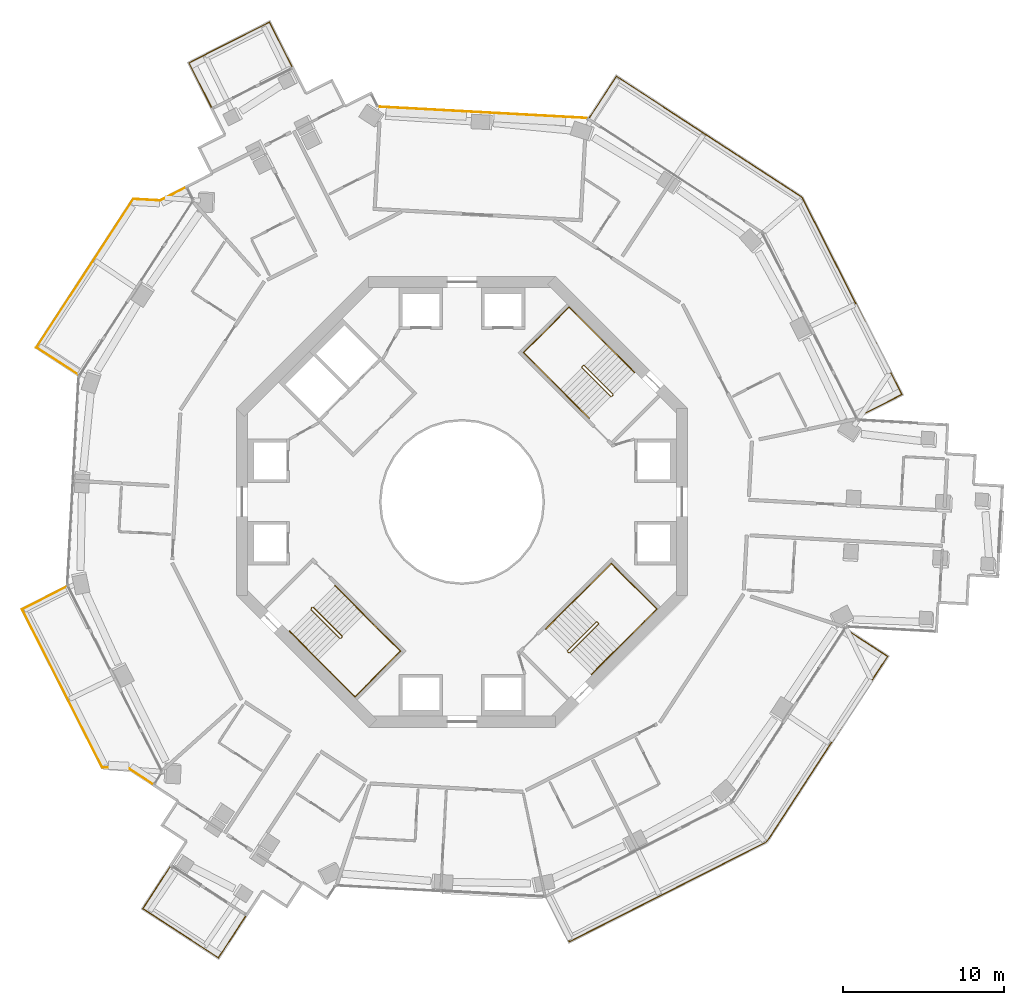
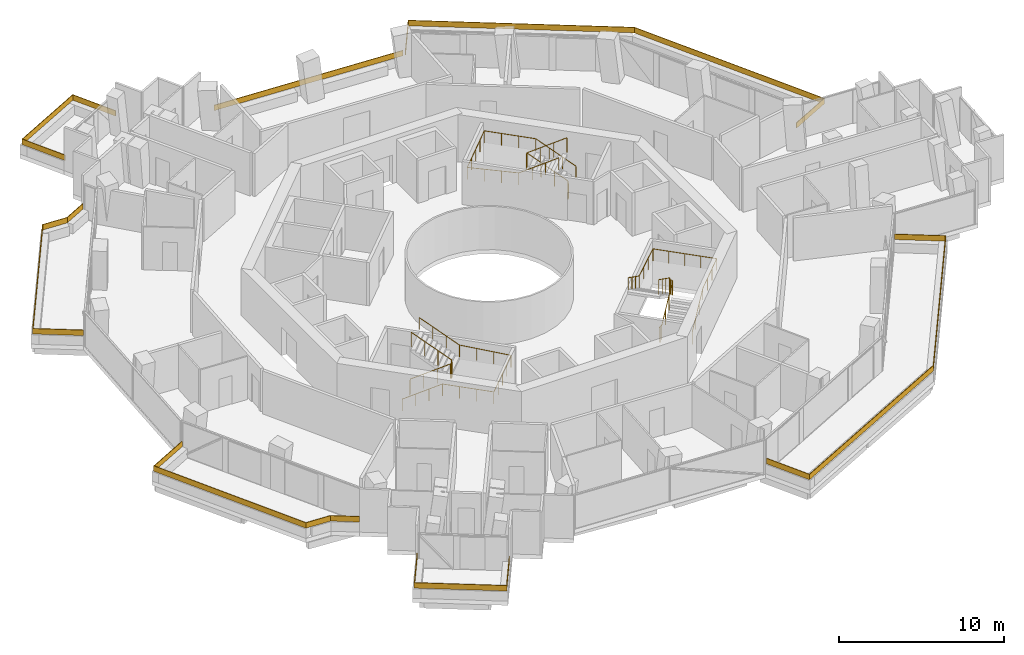
# One storey, part 23 of 23: 13 railings.
"""IFC4 building model written with IfcOpenShell, lengths in metres."""

from ifc_helpers import new_model, si_unit, direction, frame, origin, origin_2d, place, context, subcontext, project, spatial, polyline, rectangle, circle, outline, extrude, material, layer, layer_set, type_object, element, save


model = new_model("IFC4")

# Units and contexts
model_context = context("Model", 3, precision=1e-05, world=origin(), true_north=direction((0.0, 1.0)))
body_context = subcontext(model_context, "Body", "Model", "MODEL_VIEW")
ifc_project = project(units=[si_unit("LENGTHUNIT", "METRE"), si_unit("AREAUNIT", "SQUARE_METRE"), si_unit("VOLUMEUNIT", "CUBIC_METRE"), si_unit("PLANEANGLEUNIT", "RADIAN"), si_unit("MASSUNIT", "GRAM", prefix="KILO")], contexts=[model_context])

# Site, building, storey
site_placement = place(None, origin())
site = spatial("IfcSite", under=ifc_project, at=site_placement, CompositionType="ELEMENT")
building_placement = place(site_placement, origin())
building = spatial("IfcBuilding", under=site, at=building_placement, Name="Verdalira Terraces Hotel", CompositionType="ELEMENT")
storey_placement = place(building_placement, frame((0.0, 0.0, 143.5)))
storey = spatial("IfcBuildingStorey", under=building, at=storey_placement, Name="L34", CompositionType="ELEMENT", Elevation=143.5)

# Railings
ifc_material_1 = material(Name="Laminated glass", Category="glass")
ifc_layer = layer(ifc_material_1, 0.0400390625)
ifc_layer_set = layer_set([ifc_layer], Name="Balcony glass guard 400")
railing_type_1 = type_object("IfcRailingType", Name="Balcony glass guard 400", PredefinedType="GUARDRAIL", material=ifc_layer_set)
railing_1_placement = place(storey_placement, frame((0.0, 0.0, 0.699951)))
element("IfcRailing", 1, at=railing_1_placement, inside=storey, type_object=railing_type_1, Name="Balcony glass guard", PredefinedType="GUARDRAIL", context=body_context, shape_type="SweptSolid", body=[
    extrude(outline(polyline([(-11.960449, 29.744385), (-16.919678, 27.230713), (-15.527588, 24.484375), (-15.563232, 24.466309), (-16.973389, 27.248291), (-11.942871, 29.79834), (-10.532715, 27.016113), (-10.568359, 26.998047), (-11.960449, 29.744385)])), origin(), (0.0, 0.0, 1.0), 0.400146),
])
railing_2_placement = place(storey_placement, frame((0.0, 0.0, 0.699951)))
element("IfcRailing", 2, at=railing_2_placement, inside=storey, type_object=railing_type_1, Name="Balcony glass guard", PredefinedType="GUARDRAIL", context=body_context, shape_type="SweptSolid", body=[
    extrude(outline(polyline([(-18.736816, 18.685791), (-20.392334, 18.776123), (-26.382568, 9.593994), (-23.803955, 7.911621), (-23.825684, 7.878174), (-26.437988, 9.58252), (-20.41333, 18.817383), (-18.745361, 18.726318), (-17.182373, 19.518799), (-17.164307, 19.48291), (-18.736816, 18.685791)])), origin(), (0.0, 0.0, 1.0), 0.400146),
])
railing_3_placement = place(storey_placement, frame((0.0, 0.0, 0.699951)))
element("IfcRailing", 3, at=railing_3_placement, inside=storey, type_object=railing_type_1, Name="Balcony glass guard", PredefinedType="GUARDRAIL", context=body_context, shape_type="SweptSolid", body=[
    extrude(outline(polyline([(-27.269043, -6.669678), (-22.3125, -16.448242), (-20.656982, -16.538574), (-19.180176, -17.501953), (-19.202148, -17.5354), (-20.669922, -16.577881), (-22.337646, -16.487061), (-27.322998, -6.6521), (-24.540771, -5.241943), (-24.522705, -5.277588), (-27.269043, -6.669678)])), origin(), (0.0, 0.0, 1.0), 0.400146),
])
railing_4_placement = place(storey_placement, frame((0.0, 0.0, 0.699951)))
element("IfcRailing", 4, at=railing_4_placement, inside=storey, type_object=railing_type_1, Name="Balcony glass guard", PredefinedType="GUARDRAIL", context=body_context, shape_type="SweptSolid", body=[
    extrude(outline(polyline([(-19.779297, -25.230225), (-15.122559, -28.268311), (-13.440186, -25.689453), (-13.406738, -25.711426), (-15.11084, -28.323486), (-19.834717, -25.241943), (-18.130371, -22.629639), (-18.096924, -22.651611), (-19.779297, -25.230225)])), origin(), (0.0, 0.0, 1.0), 0.400146),
])
railing_5_placement = place(storey_placement, frame((0.0, 0.0, 0.699951)))
element("IfcRailing", 5, at=railing_5_placement, inside=storey, type_object=railing_type_1, Name="Balcony glass guard", PredefinedType="GUARDRAIL", context=body_context, shape_type="SweptSolid", body=[
    extrude(outline(polyline([(6.669678, -27.269043), (18.894043, -21.072754), (26.382568, -9.593994), (23.803955, -7.911621), (23.825684, -7.878174), (26.437988, -9.58252), (18.921875, -21.103516), (6.6521, -27.322998), (5.241943, -24.540771), (5.277588, -24.522705), (6.669678, -27.269043)])), origin(), (0.0, 0.0, 1.0), 0.400146),
])
railing_6_placement = place(storey_placement, frame((0.0, 0.0, 0.699951)))
element("IfcRailing", 6, at=railing_6_placement, inside=storey, type_object=railing_type_1, Name="Balcony glass guard", PredefinedType="GUARDRAIL", context=body_context, shape_type="SweptSolid", body=[
    extrude(outline(polyline([(27.269043, 6.669678), (21.072754, 18.894043), (9.593994, 26.382568), (7.911621, 23.803955), (7.878174, 23.825684), (9.58252, 26.437988), (21.103516, 18.921875), (27.322998, 6.6521), (24.540771, 5.241943), (24.522705, 5.277588), (27.269043, 6.669678)])), origin(), (0.0, 0.0, 1.0), 0.400146),
])
railing_7_placement = place(storey_placement, frame((1.317627, 24.172363, 0.699951), z_axis=(0.0, 0.0, 1.0), x_axis=(-0.998517732, 0.054427365, 0.0)))
element("IfcRailing", 7, at=railing_7_placement, inside=storey, type_object=railing_type_1, Name="Loggia glass guard", PredefinedType="GUARDRAIL", context=body_context, shape_type="SweptSolid", body=[
    extrude(rectangle(XDim=12.840088, YDim=0.040039, at=origin_2d()), origin(), (0.0, 0.0, 1.0), 0.399902),
])
ifc_material_2 = material(Name="Stainless steel", Category="steel")
railing_type_2 = type_object("IfcRailingType", Name="Stair guard 1100", PredefinedType="GUARDRAIL", material=ifc_material_2)
railing_8_placement = place(storey_placement, frame((9.369141, 6.611328, 0.0)))
element("IfcRailing", 8, at=railing_8_placement, inside=storey, type_object=railing_type_2, Name="L34 ST1 stair guard 1", PredefinedType="GUARDRAIL", context=body_context, shape_type="SweptSolid", body=[
    extrude(circle(Radius=0.023926, at=origin_2d()), frame((0.0, 0.0, 1.076172), z_axis=(-0.70832698, -0.705884473, 0.0), x_axis=(0.705884473, -0.70832698, 0.0)), (0.0, 0.0, 1.0), 0.099854),
    extrude(circle(Radius=0.023926, at=origin_2d()), frame((-0.070801, -0.070557, 1.076172), z_axis=(0.300162975, 0.599290904, 0.742127078), x_axis=(-0.894118129, 0.447831187, 0.0)), (0.0, 0.0, 1.0), 0.23584),
    extrude(circle(Radius=0.023926, at=origin_2d()), frame((0.0, 0.070801, 1.250977), z_axis=(-0.599637504, 0.599637504, 0.52997144), x_axis=(-0.707106781, -0.707106781, 0.0)), (0.0, 0.0, 1.0), 2.97168),
    extrude(circle(Radius=0.023926, at=origin_2d()), frame((-1.781982, 1.852783, 2.826172), z_axis=(-1.0, 0.0, 0.0), x_axis=(0.0, -1.0, 0.0)), (0.0, 0.0, 1.0), 0.070557),
    extrude(circle(Radius=0.023926, at=origin_2d()), frame((-1.852539, 1.852783, 2.826172), z_axis=(-0.707106781, -0.707106781, 0.0), x_axis=(0.707106781, -0.707106781, 0.0)), (0.0, 0.0, 1.0), 0.100098),
    extrude(circle(Radius=0.023926, at=origin_2d()), frame((-1.92334, 1.781982, 2.826172), z_axis=(0.0, -0.373842709, 0.927492118), x_axis=(1.0, 0.0, 0.0)), (0.0, 0.0, 1.0), 0.188721),
    extrude(circle(Radius=0.023926, at=origin_2d()), frame((-1.92334, 1.711426, 3.000977), z_axis=(0.599637504, -0.599637504, 0.52997144), x_axis=(0.707106781, 0.707106781, 0.0)), (0.0, 0.0, 1.0), 2.97168),
    extrude(circle(Radius=0.020996, at=origin_2d()), origin(), (0.0, 0.0, 1.0), 1.052002),
    extrude(circle(Radius=0.020996, at=origin_2d()), frame((-0.070801, -0.070557, 0.0)), (0.0, 0.0, 1.0), 1.052002),
    extrude(circle(Radius=0.020996, at=origin_2d()), frame((0.0, 0.070801, 0.175049)), (0.0, 0.0, 1.0), 1.052002),
    extrude(circle(Radius=0.020996, at=origin_2d()), frame((-0.593994, 0.664795, 0.699951)), (0.0, 0.0, 1.0), 1.052002),
    extrude(circle(Radius=0.020996, at=origin_2d()), frame((-1.187988, 1.258789, 1.225098)), (0.0, 0.0, 1.0), 1.052002),
    extrude(circle(Radius=0.020996, at=origin_2d()), frame((-1.781982, 1.852783, 1.75)), (0.0, 0.0, 1.0), 1.052002),
    extrude(circle(Radius=0.020996, at=origin_2d()), frame((-1.852539, 1.852783, 1.75)), (0.0, 0.0, 1.0), 1.052002),
    extrude(circle(Radius=0.020996, at=origin_2d()), frame((-1.92334, 1.781982, 1.75)), (0.0, 0.0, 1.0), 1.052002),
    extrude(circle(Radius=0.020996, at=origin_2d()), frame((-1.92334, 1.711426, 1.925049)), (0.0, 0.0, 1.0), 1.052002),
    extrude(circle(Radius=0.020996, at=origin_2d()), frame((-1.329346, 1.117432, 2.449951)), (0.0, 0.0, 1.0), 1.052002),
    extrude(circle(Radius=0.020996, at=origin_2d()), frame((-0.735352, 0.523438, 2.975098)), (0.0, 0.0, 1.0), 1.052002),
    extrude(circle(Radius=0.020996, at=origin_2d()), frame((-0.141357, -0.070557, 3.5)), (0.0, 0.0, 1.0), 1.052002),
])
railing_9_placement = place(storey_placement, frame((-9.369141, -6.611328, 0.0)))
element("IfcRailing", 9, at=railing_9_placement, inside=storey, type_object=railing_type_2, Name="L34 ST2 stair guard 1", PredefinedType="GUARDRAIL", context=body_context, shape_type="SweptSolid", body=[
    extrude(circle(Radius=0.023926, at=origin_2d()), frame((0.0, 0.0, 1.076172), z_axis=(0.70832698, 0.705884473, 0.0), x_axis=(-0.705884473, 0.70832698, 0.0)), (0.0, 0.0, 1.0), 0.099854),
    extrude(circle(Radius=0.023926, at=origin_2d()), frame((0.070801, 0.070557, 1.076172), z_axis=(-0.300162975, -0.599290904, 0.742127078), x_axis=(0.894118129, -0.447831187, 0.0)), (0.0, 0.0, 1.0), 0.23584),
    extrude(circle(Radius=0.023926, at=origin_2d()), frame((0.0, -0.070801, 1.250977), z_axis=(0.599637504, -0.599637504, 0.52997144), x_axis=(0.707106781, 0.707106781, 0.0)), (0.0, 0.0, 1.0), 2.97168),
    extrude(circle(Radius=0.023926, at=origin_2d()), frame((1.781982, -1.852783, 2.826172), z_axis=(1.0, 0.0, 0.0), x_axis=(0.0, 1.0, 0.0)), (0.0, 0.0, 1.0), 0.070557),
    extrude(circle(Radius=0.023926, at=origin_2d()), frame((1.852539, -1.852783, 2.826172), z_axis=(0.707106781, 0.707106781, 0.0), x_axis=(-0.707106781, 0.707106781, 0.0)), (0.0, 0.0, 1.0), 0.100098),
    extrude(circle(Radius=0.023926, at=origin_2d()), frame((1.92334, -1.781982, 2.826172), z_axis=(0.0, 0.373842709, 0.927492118), x_axis=(-1.0, 0.0, 0.0)), (0.0, 0.0, 1.0), 0.188721),
    extrude(circle(Radius=0.023926, at=origin_2d()), frame((1.92334, -1.711426, 3.000977), z_axis=(-0.599637504, 0.599637504, 0.52997144), x_axis=(-0.707106781, -0.707106781, 0.0)), (0.0, 0.0, 1.0), 2.97168),
    extrude(circle(Radius=0.020996, at=origin_2d()), origin(), (0.0, 0.0, 1.0), 1.052002),
    extrude(circle(Radius=0.020996, at=origin_2d()), frame((0.070801, 0.070557, 0.0)), (0.0, 0.0, 1.0), 1.052002),
    extrude(circle(Radius=0.020996, at=origin_2d()), frame((0.0, -0.070801, 0.175049)), (0.0, 0.0, 1.0), 1.052002),
    extrude(circle(Radius=0.020996, at=origin_2d()), frame((0.593994, -0.664795, 0.699951)), (0.0, 0.0, 1.0), 1.052002),
    extrude(circle(Radius=0.020996, at=origin_2d()), frame((1.187988, -1.258789, 1.225098)), (0.0, 0.0, 1.0), 1.052002),
    extrude(circle(Radius=0.020996, at=origin_2d()), frame((1.781982, -1.852783, 1.75)), (0.0, 0.0, 1.0), 1.052002),
    extrude(circle(Radius=0.020996, at=origin_2d()), frame((1.852539, -1.852783, 1.75)), (0.0, 0.0, 1.0), 1.052002),
    extrude(circle(Radius=0.020996, at=origin_2d()), frame((1.92334, -1.781982, 1.75)), (0.0, 0.0, 1.0), 1.052002),
    extrude(circle(Radius=0.020996, at=origin_2d()), frame((1.92334, -1.711426, 1.925049)), (0.0, 0.0, 1.0), 1.052002),
    extrude(circle(Radius=0.020996, at=origin_2d()), frame((1.329346, -1.117432, 2.449951)), (0.0, 0.0, 1.0), 1.052002),
    extrude(circle(Radius=0.020996, at=origin_2d()), frame((0.735352, -0.523438, 2.975098)), (0.0, 0.0, 1.0), 1.052002),
    extrude(circle(Radius=0.020996, at=origin_2d()), frame((0.141357, 0.070557, 3.5)), (0.0, 0.0, 1.0), 1.052002),
])
railing_10_placement = place(storey_placement, frame((6.611328, -9.369141, 0.0)))
element("IfcRailing", 10, at=railing_10_placement, inside=storey, type_object=railing_type_2, Name="L34 ST3 stair guard 1", PredefinedType="GUARDRAIL", context=body_context, shape_type="SweptSolid", body=[
    extrude(circle(Radius=0.023926, at=origin_2d()), frame((0.0, 0.0, 1.076172), z_axis=(-0.705884473, 0.70832698, 0.0), x_axis=(-0.70832698, -0.705884473, 0.0)), (0.0, 0.0, 1.0), 0.099854),
    extrude(circle(Radius=0.023926, at=origin_2d()), frame((-0.070557, 0.070801, 1.076172), z_axis=(0.599290904, -0.300162975, 0.742127078), x_axis=(0.447831187, 0.894118129, 0.0)), (0.0, 0.0, 1.0), 0.23584),
    extrude(circle(Radius=0.023926, at=origin_2d()), frame((0.070801, 0.0, 1.250977), z_axis=(0.599637504, 0.599637504, 0.52997144), x_axis=(-0.707106781, 0.707106781, 0.0)), (0.0, 0.0, 1.0), 2.97168),
    extrude(circle(Radius=0.023926, at=origin_2d()), frame((1.852783, 1.781982, 2.826172), z_axis=(0.0, 1.0, 0.0), x_axis=(-1.0, 0.0, 0.0)), (0.0, 0.0, 1.0), 0.070557),
    extrude(circle(Radius=0.023926, at=origin_2d()), frame((1.852783, 1.852539, 2.826172), z_axis=(-0.707106781, 0.707106781, 0.0), x_axis=(-0.707106781, -0.707106781, 0.0)), (0.0, 0.0, 1.0), 0.100098),
    extrude(circle(Radius=0.023926, at=origin_2d()), frame((1.781982, 1.92334, 2.826172), z_axis=(-0.373842709, 0.0, 0.927492118), x_axis=(0.0, -1.0, 0.0)), (0.0, 0.0, 1.0), 0.188721),
    extrude(circle(Radius=0.023926, at=origin_2d()), frame((1.711426, 1.92334, 3.000977), z_axis=(-0.599637504, -0.599637504, 0.52997144), x_axis=(0.707106781, -0.707106781, 0.0)), (0.0, 0.0, 1.0), 2.97168),
    extrude(circle(Radius=0.020996, at=origin_2d()), origin(), (0.0, 0.0, 1.0), 1.052002),
    extrude(circle(Radius=0.020996, at=origin_2d()), frame((-0.070557, 0.070801, 0.0)), (0.0, 0.0, 1.0), 1.052002),
    extrude(circle(Radius=0.020996, at=origin_2d()), frame((0.070801, 0.0, 0.175049)), (0.0, 0.0, 1.0), 1.052002),
    extrude(circle(Radius=0.020996, at=origin_2d()), frame((0.664795, 0.593994, 0.699951)), (0.0, 0.0, 1.0), 1.052002),
    extrude(circle(Radius=0.020996, at=origin_2d()), frame((1.258789, 1.187988, 1.225098)), (0.0, 0.0, 1.0), 1.052002),
    extrude(circle(Radius=0.020996, at=origin_2d()), frame((1.852783, 1.781982, 1.75)), (0.0, 0.0, 1.0), 1.052002),
    extrude(circle(Radius=0.020996, at=origin_2d()), frame((1.852783, 1.852539, 1.75)), (0.0, 0.0, 1.0), 1.052002),
    extrude(circle(Radius=0.020996, at=origin_2d()), frame((1.781982, 1.92334, 1.75)), (0.0, 0.0, 1.0), 1.052002),
    extrude(circle(Radius=0.020996, at=origin_2d()), frame((1.711426, 1.92334, 1.925049)), (0.0, 0.0, 1.0), 1.052002),
    extrude(circle(Radius=0.020996, at=origin_2d()), frame((1.117432, 1.329346, 2.449951)), (0.0, 0.0, 1.0), 1.052002),
    extrude(circle(Radius=0.020996, at=origin_2d()), frame((0.523438, 0.735352, 2.975098)), (0.0, 0.0, 1.0), 1.052002),
    extrude(circle(Radius=0.020996, at=origin_2d()), frame((-0.070557, 0.141357, 3.5)), (0.0, 0.0, 1.0), 1.052002),
])
ifc_material_3 = material(Name="Stainless steel", Category="steel")
railing_type_3 = type_object("IfcRailingType", Name="Stair handrail 900", PredefinedType="HANDRAIL", material=ifc_material_3)
railing_11_placement = place(storey_placement, frame((10.712646, 8.025635, 0.175049)))
element("IfcRailing", 11, at=railing_11_placement, inside=storey, type_object=railing_type_3, Name="L34 ST1 stair handrail 1", PredefinedType="HANDRAIL", context=body_context, shape_type="SweptSolid", body=[
    extrude(circle(Radius=0.023926, at=origin_2d()), frame((0.0, 0.0, 0.875977), z_axis=(-0.599637504, 0.599637504, 0.52997144), x_axis=(-0.707106781, -0.707106781, 0.0)), (0.0, 0.0, 1.0), 2.97168),
    extrude(circle(Radius=0.023926, at=origin_2d()), frame((-1.781982, 1.781982, 2.450684), z_axis=(-0.707106781, 0.707106781, 0.0), x_axis=(-0.707106781, -0.707106781, 0.0)), (0.0, 0.0, 1.0), 3.22998),
    extrude(circle(Radius=0.023926, at=origin_2d()), frame((-4.065918, 4.065918, 2.450684), z_axis=(-0.707106781, -0.707106781, 0.0), x_axis=(0.707106781, -0.707106781, 0.0)), (0.0, 0.0, 1.0), 4.0),
    extrude(circle(Radius=0.023926, at=origin_2d()), frame((-6.894287, 1.237549, 2.450684), z_axis=(0.706070637, -0.706070637, 0.054115729), x_axis=(0.707106781, 0.707106781, 0.0)), (0.0, 0.0, 1.0), 3.234619),
    extrude(circle(Radius=0.023926, at=origin_2d()), frame((-4.610352, -1.046387, 2.625977), z_axis=(0.599637504, -0.599637504, 0.52997144), x_axis=(0.707106781, 0.707106781, 0.0)), (0.0, 0.0, 1.0), 2.97168),
    extrude(circle(Radius=0.020996, at=origin_2d()), origin(), (0.0, 0.0, 1.0), 0.851807),
    extrude(circle(Radius=0.020996, at=origin_2d()), frame((-0.593994, 0.593994, 0.524902)), (0.0, 0.0, 1.0), 0.851807),
    extrude(circle(Radius=0.020996, at=origin_2d()), frame((-1.187988, 1.187988, 1.050049)), (0.0, 0.0, 1.0), 0.851807),
    extrude(circle(Radius=0.020996, at=origin_2d()), frame((-1.781982, 1.781982, 1.574951)), (0.0, 0.0, 1.0), 0.851807),
    extrude(circle(Radius=0.020996, at=origin_2d()), frame((-2.543213, 2.543213, 1.574951)), (0.0, 0.0, 1.0), 0.851807),
    extrude(circle(Radius=0.020996, at=origin_2d()), frame((-3.304688, 3.304688, 1.574951)), (0.0, 0.0, 1.0), 0.851807),
    extrude(circle(Radius=0.020996, at=origin_2d()), frame((-4.065918, 4.065918, 1.574951)), (0.0, 0.0, 1.0), 0.851807),
    extrude(circle(Radius=0.020996, at=origin_2d()), frame((-4.772949, 3.358887, 1.574951)), (0.0, 0.0, 1.0), 0.851807),
    extrude(circle(Radius=0.020996, at=origin_2d()), frame((-5.47998, 2.651855, 1.574951)), (0.0, 0.0, 1.0), 0.851807),
    extrude(circle(Radius=0.020996, at=origin_2d()), frame((-6.187256, 1.94458, 1.574951)), (0.0, 0.0, 1.0), 0.851807),
    extrude(circle(Radius=0.020996, at=origin_2d()), frame((-6.894287, 1.237549, 1.574951)), (0.0, 0.0, 1.0), 0.851807),
    extrude(circle(Radius=0.020996, at=origin_2d()), frame((-6.133057, 0.476318, 1.633301)), (0.0, 0.0, 1.0), 0.851807),
    extrude(circle(Radius=0.020996, at=origin_2d()), frame((-5.371582, -0.285156, 1.69165)), (0.0, 0.0, 1.0), 0.851807),
    extrude(circle(Radius=0.020996, at=origin_2d()), frame((-4.610352, -1.046387, 1.75)), (0.0, 0.0, 1.0), 0.851807),
    extrude(circle(Radius=0.020996, at=origin_2d()), frame((-4.016357, -1.640381, 2.274902)), (0.0, 0.0, 1.0), 0.851807),
    extrude(circle(Radius=0.020996, at=origin_2d()), frame((-3.422363, -2.234375, 2.800049)), (0.0, 0.0, 1.0), 0.851807),
    extrude(circle(Radius=0.020996, at=origin_2d()), frame((-2.828369, -2.828369, 3.324951)), (0.0, 0.0, 1.0), 0.851807),
])
railing_12_placement = place(storey_placement, frame((-10.712646, -8.025635, 0.175049)))
element("IfcRailing", 12, at=railing_12_placement, inside=storey, type_object=railing_type_3, Name="L34 ST2 stair handrail 1", PredefinedType="HANDRAIL", context=body_context, shape_type="SweptSolid", body=[
    extrude(circle(Radius=0.023926, at=origin_2d()), frame((0.0, 0.0, 0.875977), z_axis=(0.599637504, -0.599637504, 0.52997144), x_axis=(0.707106781, 0.707106781, 0.0)), (0.0, 0.0, 1.0), 2.97168),
    extrude(circle(Radius=0.023926, at=origin_2d()), frame((1.781982, -1.781982, 2.450684), z_axis=(0.707106781, -0.707106781, 0.0), x_axis=(0.707106781, 0.707106781, 0.0)), (0.0, 0.0, 1.0), 3.22998),
    extrude(circle(Radius=0.023926, at=origin_2d()), frame((4.065918, -4.065918, 2.450684), z_axis=(0.707106781, 0.707106781, 0.0), x_axis=(-0.707106781, 0.707106781, 0.0)), (0.0, 0.0, 1.0), 4.0),
    extrude(circle(Radius=0.023926, at=origin_2d()), frame((6.894287, -1.237549, 2.450684), z_axis=(-0.706070637, 0.706070637, 0.054115729), x_axis=(-0.707106781, -0.707106781, 0.0)), (0.0, 0.0, 1.0), 3.234619),
    extrude(circle(Radius=0.023926, at=origin_2d()), frame((4.610352, 1.046387, 2.625977), z_axis=(-0.599637504, 0.599637504, 0.52997144), x_axis=(-0.707106781, -0.707106781, 0.0)), (0.0, 0.0, 1.0), 2.97168),
    extrude(circle(Radius=0.020996, at=origin_2d()), origin(), (0.0, 0.0, 1.0), 0.851807),
    extrude(circle(Radius=0.020996, at=origin_2d()), frame((0.593994, -0.593994, 0.524902)), (0.0, 0.0, 1.0), 0.851807),
    extrude(circle(Radius=0.020996, at=origin_2d()), frame((1.187988, -1.187988, 1.050049)), (0.0, 0.0, 1.0), 0.851807),
    extrude(circle(Radius=0.020996, at=origin_2d()), frame((1.781982, -1.781982, 1.574951)), (0.0, 0.0, 1.0), 0.851807),
    extrude(circle(Radius=0.020996, at=origin_2d()), frame((2.543213, -2.543213, 1.574951)), (0.0, 0.0, 1.0), 0.851807),
    extrude(circle(Radius=0.020996, at=origin_2d()), frame((3.304688, -3.304688, 1.574951)), (0.0, 0.0, 1.0), 0.851807),
    extrude(circle(Radius=0.020996, at=origin_2d()), frame((4.065918, -4.065918, 1.574951)), (0.0, 0.0, 1.0), 0.851807),
    extrude(circle(Radius=0.020996, at=origin_2d()), frame((4.772949, -3.358887, 1.574951)), (0.0, 0.0, 1.0), 0.851807),
    extrude(circle(Radius=0.020996, at=origin_2d()), frame((5.47998, -2.651855, 1.574951)), (0.0, 0.0, 1.0), 0.851807),
    extrude(circle(Radius=0.020996, at=origin_2d()), frame((6.187256, -1.94458, 1.574951)), (0.0, 0.0, 1.0), 0.851807),
    extrude(circle(Radius=0.020996, at=origin_2d()), frame((6.894287, -1.237549, 1.574951)), (0.0, 0.0, 1.0), 0.851807),
    extrude(circle(Radius=0.020996, at=origin_2d()), frame((6.133057, -0.476318, 1.633301)), (0.0, 0.0, 1.0), 0.851807),
    extrude(circle(Radius=0.020996, at=origin_2d()), frame((5.371582, 0.285156, 1.69165)), (0.0, 0.0, 1.0), 0.851807),
    extrude(circle(Radius=0.020996, at=origin_2d()), frame((4.610352, 1.046387, 1.75)), (0.0, 0.0, 1.0), 0.851807),
    extrude(circle(Radius=0.020996, at=origin_2d()), frame((4.016357, 1.640381, 2.274902)), (0.0, 0.0, 1.0), 0.851807),
    extrude(circle(Radius=0.020996, at=origin_2d()), frame((3.422363, 2.234375, 2.800049)), (0.0, 0.0, 1.0), 0.851807),
    extrude(circle(Radius=0.020996, at=origin_2d()), frame((2.828369, 2.828369, 3.324951)), (0.0, 0.0, 1.0), 0.851807),
])
railing_13_placement = place(storey_placement, frame((8.025635, -10.712646, 0.175049)))
element("IfcRailing", 13, at=railing_13_placement, inside=storey, type_object=railing_type_3, Name="L34 ST3 stair handrail 1", PredefinedType="HANDRAIL", context=body_context, shape_type="SweptSolid", body=[
    extrude(circle(Radius=0.023926, at=origin_2d()), frame((0.0, 0.0, 0.875977), z_axis=(0.599637504, 0.599637504, 0.52997144), x_axis=(-0.707106781, 0.707106781, 0.0)), (0.0, 0.0, 1.0), 2.97168),
    extrude(circle(Radius=0.023926, at=origin_2d()), frame((1.781982, 1.781982, 2.450684), z_axis=(0.707106781, 0.707106781, 0.0), x_axis=(-0.707106781, 0.707106781, 0.0)), (0.0, 0.0, 1.0), 3.22998),
    extrude(circle(Radius=0.023926, at=origin_2d()), frame((4.065918, 4.065918, 2.450684), z_axis=(-0.707106781, 0.707106781, 0.0), x_axis=(-0.707106781, -0.707106781, 0.0)), (0.0, 0.0, 1.0), 4.0),
    extrude(circle(Radius=0.023926, at=origin_2d()), frame((1.237549, 6.894287, 2.450684), z_axis=(-0.706070637, -0.706070637, 0.054115729), x_axis=(0.707106781, -0.707106781, 0.0)), (0.0, 0.0, 1.0), 3.234619),
    extrude(circle(Radius=0.023926, at=origin_2d()), frame((-1.046387, 4.610352, 2.625977), z_axis=(-0.599637504, -0.599637504, 0.52997144), x_axis=(0.707106781, -0.707106781, 0.0)), (0.0, 0.0, 1.0), 2.97168),
    extrude(circle(Radius=0.020996, at=origin_2d()), origin(), (0.0, 0.0, 1.0), 0.851807),
    extrude(circle(Radius=0.020996, at=origin_2d()), frame((0.593994, 0.593994, 0.524902)), (0.0, 0.0, 1.0), 0.851807),
    extrude(circle(Radius=0.020996, at=origin_2d()), frame((1.187988, 1.187988, 1.050049)), (0.0, 0.0, 1.0), 0.851807),
    extrude(circle(Radius=0.020996, at=origin_2d()), frame((1.781982, 1.781982, 1.574951)), (0.0, 0.0, 1.0), 0.851807),
    extrude(circle(Radius=0.020996, at=origin_2d()), frame((2.543213, 2.543213, 1.574951)), (0.0, 0.0, 1.0), 0.851807),
    extrude(circle(Radius=0.020996, at=origin_2d()), frame((3.304688, 3.304688, 1.574951)), (0.0, 0.0, 1.0), 0.851807),
    extrude(circle(Radius=0.020996, at=origin_2d()), frame((4.065918, 4.065918, 1.574951)), (0.0, 0.0, 1.0), 0.851807),
    extrude(circle(Radius=0.020996, at=origin_2d()), frame((3.358887, 4.772949, 1.574951)), (0.0, 0.0, 1.0), 0.851807),
    extrude(circle(Radius=0.020996, at=origin_2d()), frame((2.651855, 5.47998, 1.574951)), (0.0, 0.0, 1.0), 0.851807),
    extrude(circle(Radius=0.020996, at=origin_2d()), frame((1.94458, 6.187256, 1.574951)), (0.0, 0.0, 1.0), 0.851807),
    extrude(circle(Radius=0.020996, at=origin_2d()), frame((1.237549, 6.894287, 1.574951)), (0.0, 0.0, 1.0), 0.851807),
    extrude(circle(Radius=0.020996, at=origin_2d()), frame((0.476318, 6.133057, 1.633301)), (0.0, 0.0, 1.0), 0.851807),
    extrude(circle(Radius=0.020996, at=origin_2d()), frame((-0.285156, 5.371582, 1.69165)), (0.0, 0.0, 1.0), 0.851807),
    extrude(circle(Radius=0.020996, at=origin_2d()), frame((-1.046387, 4.610352, 1.75)), (0.0, 0.0, 1.0), 0.851807),
    extrude(circle(Radius=0.020996, at=origin_2d()), frame((-1.640381, 4.016357, 2.274902)), (0.0, 0.0, 1.0), 0.851807),
    extrude(circle(Radius=0.020996, at=origin_2d()), frame((-2.234375, 3.422363, 2.800049)), (0.0, 0.0, 1.0), 0.851807),
    extrude(circle(Radius=0.020996, at=origin_2d()), frame((-2.828369, 2.828369, 3.324951)), (0.0, 0.0, 1.0), 0.851807),
])

save(model, "model.ifc")
